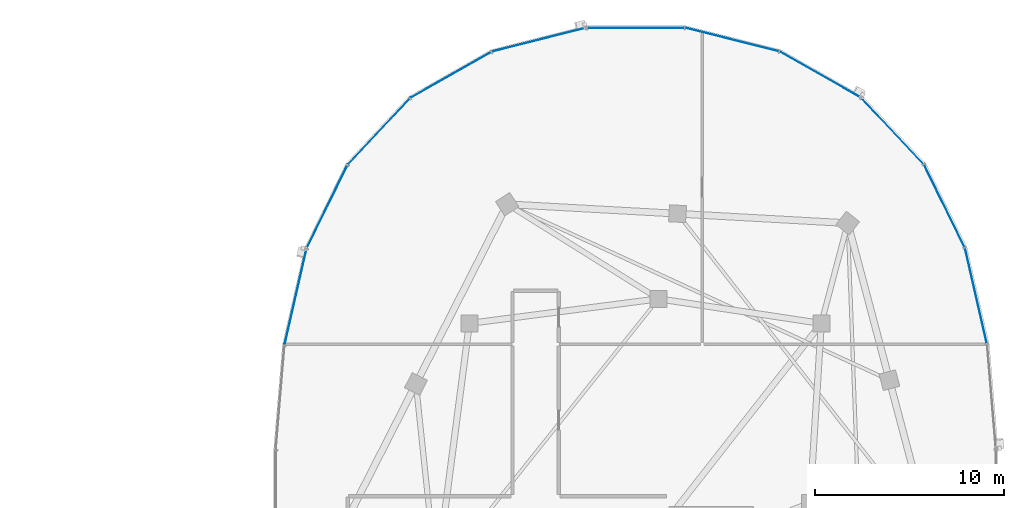
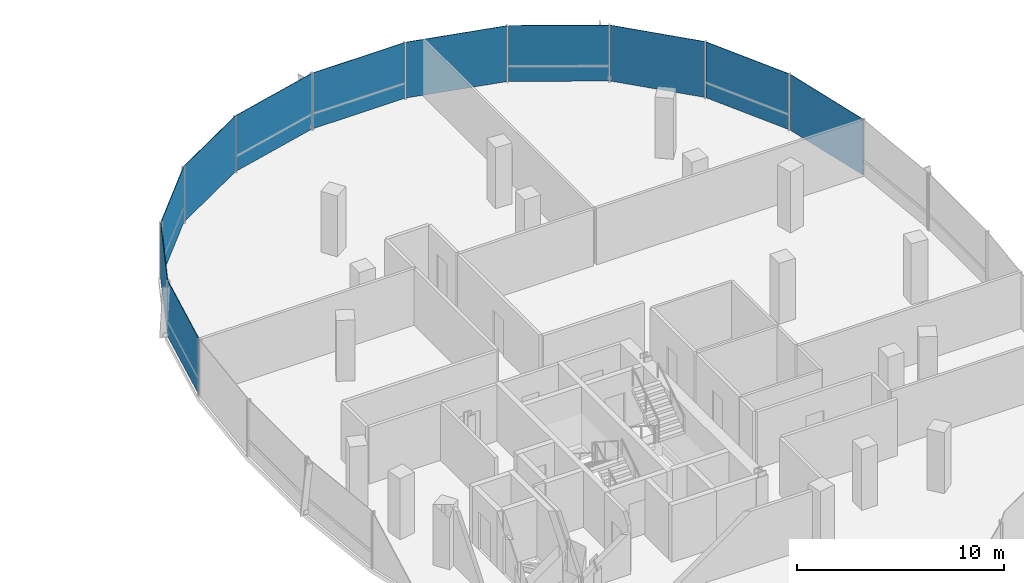
# One storey, part 14 of 25: 11 plates, 2 elements without a shape of their own.
"""IFC4 building model written with IfcOpenShell, lengths in metres."""

from ifc_helpers import new_model, si_unit, direction, frame, origin, origin_2d, place, context, subcontext, project, spatial, rectangle, extrude, material, layer, layer_set, type_object, element, aggregate, save


model = new_model("IFC4")

# Units and contexts
model_context = context("Model", 3, precision=1e-05, world=origin(), true_north=direction((0.0, 1.0)))
body_context = subcontext(model_context, "Body", "Model", "MODEL_VIEW")
ifc_project = project(units=[si_unit("LENGTHUNIT", "METRE"), si_unit("AREAUNIT", "SQUARE_METRE"), si_unit("VOLUMEUNIT", "CUBIC_METRE"), si_unit("PLANEANGLEUNIT", "RADIAN"), si_unit("MASSUNIT", "GRAM", prefix="KILO"), si_unit("THERMODYNAMICTEMPERATUREUNIT", "KELVIN"), si_unit("POWERUNIT", "WATT")], contexts=[model_context])

# Site, building, storey
site_placement = place(None, origin())
site = spatial("IfcSite", under=ifc_project, at=site_placement, CompositionType="ELEMENT")
building_placement = place(site_placement, origin())
building = spatial("IfcBuilding", under=site, at=building_placement, Name="Cundina Bronze Exchange", CompositionType="ELEMENT")
storey_placement = place(building_placement, frame((0.0, 0.0, 209.800048828125)))
storey = spatial("IfcBuildingStorey", under=building, at=storey_placement, Name="L55", CompositionType="ELEMENT", Elevation=209.800048828125)

# Curtain wall, plates
ifc_material_1 = material(Name="Anodised Bronze Aluminium 6063-T6", Category="aluminium")
curtain_wall_type = type_object("IfcCurtainWallType", Name="CWS-UPP-OFF", PredefinedType="NOTDEFINED", material=ifc_material_1)
curtain_wall_1_placement = place(storey_placement, origin())
curtain_wall_1 = element("IfcCurtainWall", 1, at=curtain_wall_1_placement, inside=storey, type_object=curtain_wall_type, Name="L55 CW-05 Curtain Wall Run CWR-L55-E1", PredefinedType="NOTDEFINED")
ifc_material_2 = material(Name="Heat-Strengthened Solar-Control Bronze Safety Glass 28mm", Category="glass")
ifc_layer_1 = layer(ifc_material_2, 0.028076171875, Name="Heat-Strengthened Solar-Control Bronze Safety Glass 28mm", Category="glass")
ifc_layer_set_1 = layer_set([ifc_layer_1], Name="Heat-Strengthened Solar-Control Bronze Safety Glass 28mm")
plate_type_1 = type_object("IfcPlateType", Name="PLT-GLZ-VIS28", PredefinedType="CURTAIN_PANEL", material=ifc_layer_set_1)
plate_1_placement = place(storey_placement, frame((49.98388671875, 10.92578125, 0.02001953125), z_axis=(0.0, 0.0, 1.0), x_axis=(-0.223284141459, 0.974753400698, 0.0)))
plate_1 = element("IfcPlate", 2, at=plate_1_placement, type_object=plate_type_1, Name="CW-05 Glazed Panel 2", PredefinedType="CURTAIN_PANEL", context=body_context, shape_type="SweptSolid", body=[
    extrude(rectangle(XDim=5.167724609375, YDim=0.028076171875, at=origin_2d()), origin(), (0.0, 0.0, 1.0), 3.300048828125),
])
plate_2_placement = place(storey_placement, frame((48.314697265625, 15.686767578125, 0.02001953125), z_axis=(0.0, 0.0, 1.0), x_axis=(-0.440503330345, 0.897750976582, 0.0)))
plate_2 = element("IfcPlate", 3, at=plate_2_placement, type_object=plate_type_1, Name="CW-05 Glazed Panel 3", PredefinedType="CURTAIN_PANEL", context=body_context, shape_type="SweptSolid", body=[
    extrude(rectangle(XDim=4.863525390625, YDim=0.028076171875, at=origin_2d()), origin(), (0.0, 0.0, 1.0), 3.300048828125),
])
plate_3_placement = place(storey_placement, frame((45.5791015625, 19.6552734375, 0.02001953125), z_axis=(0.0, 0.0, 1.0), x_axis=(-0.684343512797, 0.72915976061, 0.0)))
plate_3 = element("IfcPlate", 4, at=plate_3_placement, type_object=plate_type_1, Name="CW-05 Glazed Panel 4", PredefinedType="CURTAIN_PANEL", context=body_context, shape_type="SweptSolid", body=[
    extrude(rectangle(XDim=4.773193359375, YDim=0.028076171875, at=origin_2d()), origin(), (0.0, 0.0, 1.0), 3.300048828125),
])
plate_4_placement = place(storey_placement, frame((37.11279296875, 24.49609375, 0.02001953125), z_axis=(0.0, 0.0, 1.0), x_axis=(-0.969731542251, 0.244173577528, 0.0)))
plate_4 = element("IfcPlate", 5, at=plate_4_placement, type_object=plate_type_1, Name="CW-05 Glazed Panel 6", PredefinedType="CURTAIN_PANEL", context=body_context, shape_type="SweptSolid", body=[
    extrude(rectangle(XDim=5.0908203125, YDim=0.028076171875, at=origin_2d()), origin(), (0.0, 0.0, 1.0), 3.300048828125),
])
plate_5_placement = place(storey_placement, frame((32.0, 25.125, 0.02001953125), z_axis=(0.0, 0.0, 1.0), x_axis=(-1.0, 0.0, 0.0)))
plate_5 = element("IfcPlate", 6, at=plate_5_placement, type_object=plate_type_1, Name="CW-05 Glazed Panel 7", PredefinedType="CURTAIN_PANEL", context=body_context, shape_type="SweptSolid", body=[
    extrude(rectangle(XDim=5.16796875, YDim=0.028076171875, at=origin_2d()), origin(), (0.0, 0.0, 1.0), 3.300048828125),
])

curtain_wall_2_placement = place(storey_placement, origin())
curtain_wall_2 = element("IfcCurtainWall", 7, at=curtain_wall_2_placement, inside=storey, type_object=curtain_wall_type, Name="L55 CW-05 Curtain Wall Run CWR-L55-E2", PredefinedType="NOTDEFINED")
plate_6_placement = place(storey_placement, frame((26.88720703125, 24.49609375, 0.02001953125), z_axis=(0.0, 0.0, 1.0), x_axis=(-0.969731542251, -0.244173577528, 0.0)))
plate_6 = element("IfcPlate", 8, at=plate_6_placement, type_object=plate_type_1, Name="CW-05 Glazed Panel 1", PredefinedType="CURTAIN_PANEL", context=body_context, shape_type="SweptSolid", body=[
    extrude(rectangle(XDim=5.0908203125, YDim=0.028076171875, at=origin_2d()), origin(), (0.0, 0.0, 1.0), 3.300048828125),
])
plate_7_placement = place(storey_placement, frame((22.230712890625, 22.64111328125, 0.02001953125), z_axis=(0.0, 0.0, 1.0), x_axis=(-0.869572506985, -0.493805280547, 0.0)))
plate_7 = element("IfcPlate", 9, at=plate_7_placement, type_object=plate_type_1, Name="CW-05 Glazed Panel 2", PredefinedType="CURTAIN_PANEL", context=body_context, shape_type="SweptSolid", body=[
    extrude(rectangle(XDim=4.907958984375, YDim=0.028076171875, at=origin_2d()), origin(), (0.0, 0.0, 1.0), 3.300048828125),
])
plate_8_placement = place(storey_placement, frame((18.4208984375, 19.6552734375, 0.02001953125), z_axis=(0.0, 0.0, 1.0), x_axis=(-0.684343512797, -0.72915976061, 0.0)))
plate_8 = element("IfcPlate", 10, at=plate_8_placement, type_object=plate_type_1, Name="CW-05 Glazed Panel 3", PredefinedType="CURTAIN_PANEL", context=body_context, shape_type="SweptSolid", body=[
    extrude(rectangle(XDim=4.773193359375, YDim=0.028076171875, at=origin_2d()), origin(), (0.0, 0.0, 1.0), 3.300048828125),
])
plate_9_placement = place(storey_placement, frame((14.01611328125, 10.92578125, 0.02001953125), z_axis=(0.0, 0.0, 1.0), x_axis=(-0.223284141459, -0.974753400698, 0.0)))
plate_9 = element("IfcPlate", 11, at=plate_9_placement, type_object=plate_type_1, Name="CW-05 Glazed Panel 5", PredefinedType="CURTAIN_PANEL", context=body_context, shape_type="SweptSolid", body=[
    extrude(rectangle(XDim=5.167724609375, YDim=0.028076171875, at=origin_2d()), origin(), (0.0, 0.0, 1.0), 3.300048828125),
])

# Plate
ifc_material_3 = material(Name="Dark Bronze Spandrel Glass Panel 32mm", Category="glass")
ifc_layer_2 = layer(ifc_material_3, 0.031982421875, Name="Dark Bronze Spandrel Glass Panel 32mm", Category="glass")
ifc_layer_set_2 = layer_set([ifc_layer_2], Name="Dark Bronze Spandrel Glass Panel 32mm")
plate_type_2 = type_object("IfcPlateType", Name="PLT-SPN-BRZ32", PredefinedType="CURTAIN_PANEL", material=ifc_layer_set_2)
plate_10_placement = place(storey_placement, frame((41.769287109375, 22.64111328125, 0.02001953125), z_axis=(0.0, 0.0, 1.0), x_axis=(-0.869572506985, 0.493805280547, 0.0)))
plate_10 = element("IfcPlate", 12, at=plate_10_placement, type_object=plate_type_2, Name="CW-05 Glazed Panel 5", PredefinedType="CURTAIN_PANEL", context=body_context, shape_type="SweptSolid", body=[
    extrude(rectangle(XDim=4.907958984375, YDim=0.031982421875, at=origin_2d()), origin(), (0.0, 0.0, 1.0), 3.300048828125),
])

aggregate(curtain_wall_1, [plate_1, plate_2, plate_3, plate_10, plate_4, plate_5])

plate_11_placement = place(storey_placement, frame((15.685302734375, 15.686767578125, 0.02001953125), z_axis=(0.0, 0.0, 1.0), x_axis=(-0.440503330345, -0.897750976582, 0.0)))
plate_11 = element("IfcPlate", 13, at=plate_11_placement, type_object=plate_type_2, Name="CW-05 Glazed Panel 4", PredefinedType="CURTAIN_PANEL", context=body_context, shape_type="SweptSolid", body=[
    extrude(rectangle(XDim=4.863525390625, YDim=0.031982421875, at=origin_2d()), origin(), (0.0, 0.0, 1.0), 3.300048828125),
])

aggregate(curtain_wall_2, [plate_6, plate_7, plate_8, plate_11, plate_9])

save(model, "model.ifc")
